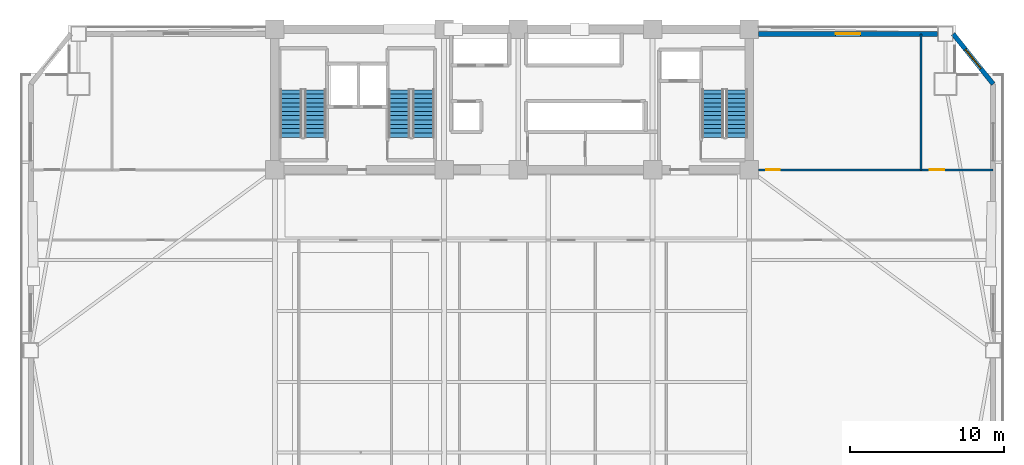
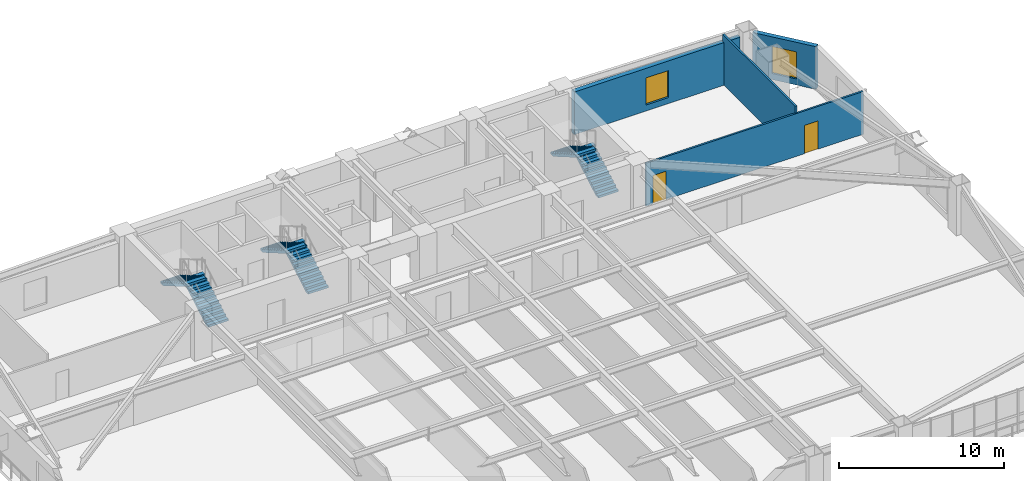
# One storey, part 10 of 16: 6 stair flights, 4 walls, 2 doors, 2 windows, 4 openings, 3 elements without a shape of their own.
"""IFC4 building model written with IfcOpenShell, lengths in metres."""

from ifc_helpers import new_model, si_unit, direction, frame, frame_2d, origin, place, context, subcontext, project, spatial, polyline, rectangle, outline, extrude, source, transform, mapped, material, layer, layer_set, type_object, element, fill, aggregate, save


model = new_model("IFC4")

# Units and contexts
model_context = context("Model", 3, precision=1e-05, world=origin(), true_north=direction((0.0, 1.0)))
body_context = subcontext(model_context, "Body", "Model", "MODEL_VIEW")
ifc_project = project(units=[si_unit("LENGTHUNIT", "METRE"), si_unit("AREAUNIT", "SQUARE_METRE"), si_unit("VOLUMEUNIT", "CUBIC_METRE"), si_unit("PLANEANGLEUNIT", "RADIAN"), si_unit("MASSUNIT", "GRAM", prefix="KILO")], contexts=[model_context])

# Site, building, storey
site_placement = place(None, origin())
site = spatial("IfcSite", under=ifc_project, at=site_placement, CompositionType="ELEMENT")
building_placement = place(site_placement, origin())
building = spatial("IfcBuilding", under=site, at=building_placement, Name="Giltprow Tower", CompositionType="ELEMENT")
storey_placement = place(building_placement, frame((0.0, 0.0, 79.60009765625)))
storey = spatial("IfcBuildingStorey", under=building, at=storey_placement, Name="L19", CompositionType="ELEMENT", Elevation=79.60009765625)

# Wall, opening, window
ifc_material_1 = material(Name="Precast concrete C40", Category="concrete")
ifc_layer_1 = layer(ifc_material_1, 0.300048828125, Name="Precast concrete C40")
ifc_layer_set_1 = layer_set([ifc_layer_1], Name="Precast concrete C40")
wall_type_1 = type_object("IfcWallType", Name="EW-NOTCH-CHAMFER-300", PredefinedType="SOLIDWALL", material=ifc_layer_set_1)
wall_1_placement = place(storey_placement, frame((66.361083984375, 43.00390625, 0.0), z_axis=(0.0, 0.0, 1.0), x_axis=(-0.624594762048, 0.780949027288, 0.0)))
wall_1 = element("IfcWall", 1, at=wall_1_placement, inside=storey, type_object=wall_type_1, Name="L19 Corner Notch Wall NE", PredefinedType="SOLIDWALL", context=body_context, shape_type="SweptSolid", body=[
    extrude(rectangle(XDim=4.156494140625, YDim=0.300048828125, at=frame_2d((2.078125, 0.0))), origin(), (0.0, 0.0, 1.0), 3.159912109375),
])
opening_1_placement = place(wall_1_placement, frame((1.278076171875, 0.0, 0.449951171875)))
opening_1 = element("IfcOpeningElement", 2, at=opening_1_placement, cuts=wall_1, Name="Opening WN17", PredefinedType="OPENING", context=body_context, shape_type="SweptSolid", body=[
    extrude(rectangle(XDim=1.60009765625, YDim=2.0, at=frame_2d((0.800048828125, 1.0))), frame((0.0, 0.159912109375, 0.0), z_axis=(0.0, -1.0, 0.0), x_axis=(1.0, 0.0, 0.0)), (0.0, 0.0, 1.0), 0.320068359375),
])
ifc_material_2 = material(Name="Insulated glass", Category="glass")
window_type = type_object("IfcWindowType", Name="WN-COR-1600x2000", PartitioningType="SINGLE_PANEL", PredefinedType="WINDOW", material=ifc_material_2)
shared_shape_1 = source(origin(), body_context, "Body", "SweptSolid", [
    extrude(rectangle(XDim=1.60009765625, YDim=2.0, at=frame_2d((0.800048828125, 1.0))), frame((0.0, 0.030029296875, 0.0), z_axis=(0.0, -1.0, 0.0), x_axis=(1.0, 0.0, 0.0)), (0.0, 0.0, 1.0), 0.06005859375),
])
window_1_placement = place(opening_1_placement, origin())
window_1 = element("IfcWindow", 3, at=window_1_placement, inside=storey, type_object=window_type, Name="L19 Corner Notch Window NE", OverallHeight=2.0, OverallWidth=1.60009765625, PartitioningType="SINGLE_PANEL", PredefinedType="WINDOW", context=body_context, shape_type="MappedRepresentation", body=[
    mapped(shared_shape_1, transform((0.0, 0.0, 0.0), x_axis=(1.0, 0.0, 0.0), y_axis=(0.0, 1.0, 0.0), z_axis=(0.0, 0.0, 1.0), scale=1.0)),
])
fill(opening_1, window_1)

ifc_layer_2 = layer(ifc_material_1, 0.320068359375, Name="Precast concrete C40")
ifc_layer_set_2 = layer_set([ifc_layer_2], Name="Precast concrete C40")
wall_type_2 = type_object("IfcWallType", Name="EW-TOW-STONE-320", PredefinedType="SOLIDWALL", material=ifc_layer_set_2)
wall_2_placement = place(storey_placement, frame((51.14990234375, 46.25, 0.0), z_axis=(0.0, 0.0, 1.0), x_axis=(1.0, 0.0, 0.0)))
wall_2 = element("IfcWall", 4, at=wall_2_placement, inside=storey, type_object=wall_type_2, Name="L19 North-East Wing Wall", PredefinedType="SOLIDWALL", context=body_context, shape_type="SweptSolid", body=[
    extrude(rectangle(XDim=11.614990234375, YDim=0.320068359375, at=frame_2d((5.8076171875, 0.0))), origin(), (0.0, 0.0, 1.0), 3.159912109375),
])
opening_2_placement = place(wall_2_placement, frame((5.008056640625, 0.0, 0.449951171875)))
opening_2 = element("IfcOpeningElement", 5, at=opening_2_placement, cuts=wall_2, Name="Opening WN17", PredefinedType="OPENING", context=body_context, shape_type="SweptSolid", body=[
    extrude(rectangle(XDim=1.60009765625, YDim=2.0, at=frame_2d((0.800048828125, 1.0))), frame((0.0, 0.169921875, 0.0), z_axis=(0.0, -1.0, 0.0), x_axis=(1.0, 0.0, 0.0)), (0.0, 0.0, 1.0), 0.340087890625),
])
window_2_placement = place(opening_2_placement, origin())
window_2 = element("IfcWindow", 6, at=window_2_placement, inside=storey, type_object=window_type, Name="L19 North-East Window", OverallHeight=2.0, OverallWidth=1.60009765625, PartitioningType="SINGLE_PANEL", PredefinedType="WINDOW", context=body_context, shape_type="MappedRepresentation", body=[
    mapped(shared_shape_1, transform((0.0, 0.0, 0.0), x_axis=(1.0, 0.0, 0.0), y_axis=(0.0, 1.0, 0.0), z_axis=(0.0, 0.0, 1.0), scale=1.0)),
])
fill(opening_2, window_2)

# Wall, openings, doors
ifc_material_3 = material(Name="Concrete C30", Category="concrete")
ifc_layer_3 = layer(ifc_material_3, 0.1298828125, Name="Concrete C30")
ifc_layer_set_3 = layer_set([ifc_layer_3], Name="Concrete C30")
wall_type_3 = type_object("IfcWallType", Name="IW-WET-130", PredefinedType="PARTITIONING", material=ifc_layer_set_3)
wall_3_placement = place(storey_placement, frame((51.14990234375, 37.449951171875, 0.0), z_axis=(0.0, 0.0, 1.0), x_axis=(1.0, 0.0, 0.0)))
wall_3 = element("IfcWall", 7, at=wall_3_placement, inside=storey, type_object=wall_type_3, Name="L19 NE Wing South Wall", PredefinedType="PARTITIONING", context=body_context, shape_type="SweptSolid", body=[
    extrude(rectangle(XDim=15.211181640625, YDim=0.1298828125, at=frame_2d((7.60546875, 0.0))), origin(), (0.0, 0.0, 1.0), 3.164794921875),
])
opening_3_placement = place(wall_3_placement, frame((0.5, 0.0, 0.0)))
opening_3 = element("IfcOpeningElement", 8, at=opening_3_placement, cuts=wall_3, Name="Opening ID15", PredefinedType="OPENING", context=body_context, shape_type="SweptSolid", body=[
    extrude(rectangle(XDim=0.89990234375, YDim=2.10009765625, at=frame_2d((0.449951171875, 1.050048828125))), frame((0.0, 0.074951171875, 0.0), z_axis=(0.0, -1.0, 0.0), x_axis=(1.0, 0.0, 0.0)), (0.0, 0.0, 1.0), 0.14990234375),
])
opening_4_placement = place(wall_3_placement, frame((11.087890625, 0.0, 0.0)))
opening_4 = element("IfcOpeningElement", 9, at=opening_4_placement, cuts=wall_3, Name="Opening ID11", PredefinedType="OPENING", context=body_context, shape_type="SweptSolid", body=[
    extrude(rectangle(XDim=0.949951171875, YDim=2.10009765625, at=frame_2d((0.47509765625, 1.050048828125))), frame((0.0, 0.074951171875, 0.0), z_axis=(0.0, -1.0, 0.0), x_axis=(1.0, 0.0, 0.0)), (0.0, 0.0, 1.0), 0.14990234375),
])
ifc_material_4 = material(Name="Engineered timber", Category="wood")
door_type_1 = type_object("IfcDoorType", Name="DR-WC-900", OperationType="SINGLE_SWING_LEFT", PredefinedType="DOOR", material=ifc_material_4)
shared_shape_2 = source(origin(), body_context, "Body", "SweptSolid", [
    extrude(rectangle(XDim=0.89990234375, YDim=2.10009765625, at=frame_2d((0.449951171875, 1.050048828125))), frame((0.0, 0.02490234375, 0.0), z_axis=(0.0, -1.0, 0.0), x_axis=(1.0, 0.0, 0.0)), (0.0, 0.0, 1.0), 0.050048828125),
])
door_1_placement = place(opening_3_placement, origin())
door_1 = element("IfcDoor", 10, at=door_1_placement, inside=storey, type_object=door_type_1, Name="L19 East Wing Washroom Door", OperationType="SINGLE_SWING_RIGHT", OverallHeight=2.10009765625, OverallWidth=0.89990234375, PredefinedType="DOOR", context=body_context, shape_type="MappedRepresentation", body=[
    mapped(shared_shape_2, transform((0.0, 0.0, 0.0), x_axis=(1.0, 0.0, 0.0), y_axis=(0.0, 1.0, 0.0), z_axis=(0.0, 0.0, 1.0), scale=1.0)),
])
fill(opening_3, door_1)
door_type_2 = type_object("IfcDoorType", Name="DR-ROOM-950", OperationType="SINGLE_SWING_RIGHT", PredefinedType="DOOR", material=ifc_material_4)
shared_shape_3 = source(origin(), body_context, "Body", "SweptSolid", [
    extrude(rectangle(XDim=0.949951171875, YDim=2.10009765625, at=frame_2d((0.47509765625, 1.050048828125))), frame((0.0, 0.02490234375, 0.0), z_axis=(0.0, -1.0, 0.0), x_axis=(1.0, 0.0, 0.0)), (0.0, 0.0, 1.0), 0.050048828125),
])
door_2_placement = place(opening_4_placement, origin())
door_2 = element("IfcDoor", 11, at=door_2_placement, inside=storey, type_object=door_type_2, Name="L19 East Tenant Archive Store Door", OperationType="SINGLE_SWING_RIGHT", OverallHeight=2.10009765625, OverallWidth=0.949951171875, PredefinedType="DOOR", context=body_context, shape_type="MappedRepresentation", body=[
    mapped(shared_shape_3, transform((0.0, 0.0, 0.0), x_axis=(1.0, 0.0, 0.0), y_axis=(0.0, 1.0, 0.0), z_axis=(0.0, 0.0, 1.0), scale=1.0)),
])
fill(opening_4, door_2)

# Wall
wall_4_placement = place(storey_placement, frame((61.68798828125, 37.449951171875, 0.0), z_axis=(0.0, 0.0, 1.0), x_axis=(0.0, 1.0, 0.0)))
element("IfcWall", 12, at=wall_4_placement, inside=storey, type_object=wall_type_3, Name="L19 NE Wing Divider", PredefinedType="PARTITIONING", context=body_context, shape_type="SweptSolid", body=[
    extrude(rectangle(XDim=8.800048828125, YDim=0.1298828125, at=frame_2d((4.39990234375, 0.0))), origin(), (0.0, 0.0, 1.0), 3.679931640625),
])

# Stair, stair flights
ifc_material_5 = material(Name="Concrete C40", Category="concrete")
stair_type_1 = type_object("IfcStairType", Name="STR-ST-1", PredefinedType="HALF_TURN_STAIR", material=ifc_material_5)
stair_1_placement = place(storey_placement, origin())
stair_1 = element("IfcStair", 13, at=stair_1_placement, inside=storey, type_object=stair_type_1, Name="L19 Core Exit Stair ST-1", PredefinedType="HALF_TURN_STAIR")
stair_flight_type_1 = type_object("IfcStairFlightType", Name="SFL-ST-1", PredefinedType="STRAIGHT", material=ifc_material_5)
stair_flight_1_placement = place(storey_placement, frame((22.4599609375, 39.550048828125, 0.0), z_axis=(0.0, 0.0, 1.0), x_axis=(0.0, 1.0, 0.0)))
stair_flight_1 = element("IfcStairFlight", 14, at=stair_flight_1_placement, type_object=stair_flight_type_1, Name="ST-1 flight 1", NumberOfRisers=12, NumberOfTreads=11, PredefinedType="STRAIGHT", RiserHeight=0.1625, TreadLength=0.28, context=body_context, shape_type="SweptSolid", body=[
    extrude(outline(polyline([(0.0, 0.0), (0.0, 0.16259765625), (0.280029296875, 0.16259765625), (0.280029296875, 0.324951171875), (0.56005859375, 0.324951171875), (0.56005859375, 0.487548828125), (0.840087890625, 0.487548828125), (0.840087890625, 0.64990234375), (1.1201171875, 0.64990234375), (1.1201171875, 0.8125), (1.39990234375, 0.8125), (1.39990234375, 0.97509765625), (1.679931640625, 0.97509765625), (1.679931640625, 1.137451171875), (1.9599609375, 1.137451171875), (1.9599609375, 1.300048828125), (2.239990234375, 1.300048828125), (2.239990234375, 1.46240234375), (2.52001953125, 1.46240234375), (2.52001953125, 1.625), (2.800048828125, 1.625), (2.800048828125, 1.78759765625), (3.080078125, 1.78759765625), (3.080078125, 1.949951171875), (3.080078125, 1.6142578125), (0.298583984375, 0.0), (0.0, 0.0)])), frame((0.0, 0.699951171875, 0.0), z_axis=(0.0, -1.0, 0.0), x_axis=(1.0, 0.0, 0.0)), (0.0, 0.0, 1.0), 1.39990234375),
])
stair_flight_2_placement = place(storey_placement, frame((20.89990234375, 42.6298828125, 1.949951171875), z_axis=(0.0, 0.0, 1.0), x_axis=(0.0, -1.0, 0.0)))
stair_flight_2 = element("IfcStairFlight", 15, at=stair_flight_2_placement, type_object=stair_flight_type_1, Name="ST-1 flight 2", NumberOfRisers=12, NumberOfTreads=11, PredefinedType="STRAIGHT", RiserHeight=0.1625, TreadLength=0.28, context=body_context, shape_type="SweptSolid", body=[
    extrude(outline(polyline([(0.0, 0.0), (0.0, 0.16259765625), (0.280029296875, 0.16259765625), (0.280029296875, 0.324951171875), (0.56005859375, 0.324951171875), (0.56005859375, 0.487548828125), (0.840087890625, 0.487548828125), (0.840087890625, 0.64990234375), (1.1201171875, 0.64990234375), (1.1201171875, 0.8125), (1.39990234375, 0.8125), (1.39990234375, 0.97509765625), (1.679931640625, 0.97509765625), (1.679931640625, 1.137451171875), (1.9599609375, 1.137451171875), (1.9599609375, 1.300048828125), (2.239990234375, 1.300048828125), (2.239990234375, 1.46240234375), (2.52001953125, 1.46240234375), (2.52001953125, 1.625), (2.800048828125, 1.625), (2.800048828125, 1.78759765625), (3.080078125, 1.78759765625), (3.080078125, 1.949951171875), (3.080078125, 1.6142578125), (0.298583984375, 0.0), (0.0, 0.0)])), frame((0.0, 0.699951171875, 0.0), z_axis=(0.0, -1.0, 0.0), x_axis=(1.0, 0.0, 0.0)), (0.0, 0.0, 1.0), 1.39990234375),
])
aggregate(stair_1, [stair_flight_1, stair_flight_2])

stair_type_2 = type_object("IfcStairType", Name="STR-ST-2", PredefinedType="HALF_TURN_STAIR", material=ifc_material_5)
stair_2_placement = place(storey_placement, origin())
stair_2 = element("IfcStair", 16, at=stair_2_placement, inside=storey, type_object=stair_type_2, Name="L19 Core Exit Stair ST-2", PredefinedType="HALF_TURN_STAIR")
stair_flight_type_2 = type_object("IfcStairFlightType", Name="SFL-ST-2", PredefinedType="STRAIGHT", material=ifc_material_5)
stair_flight_3_placement = place(storey_placement, frame((29.4599609375, 39.550048828125, 0.0), z_axis=(0.0, 0.0, 1.0), x_axis=(0.0, 1.0, 0.0)))
stair_flight_3 = element("IfcStairFlight", 17, at=stair_flight_3_placement, type_object=stair_flight_type_2, Name="ST-2 flight 1", NumberOfRisers=12, NumberOfTreads=11, PredefinedType="STRAIGHT", RiserHeight=0.1625, TreadLength=0.28, context=body_context, shape_type="SweptSolid", body=[
    extrude(outline(polyline([(0.0, 0.0), (0.0, 0.16259765625), (0.280029296875, 0.16259765625), (0.280029296875, 0.324951171875), (0.56005859375, 0.324951171875), (0.56005859375, 0.487548828125), (0.840087890625, 0.487548828125), (0.840087890625, 0.64990234375), (1.1201171875, 0.64990234375), (1.1201171875, 0.8125), (1.39990234375, 0.8125), (1.39990234375, 0.97509765625), (1.679931640625, 0.97509765625), (1.679931640625, 1.137451171875), (1.9599609375, 1.137451171875), (1.9599609375, 1.300048828125), (2.239990234375, 1.300048828125), (2.239990234375, 1.46240234375), (2.52001953125, 1.46240234375), (2.52001953125, 1.625), (2.800048828125, 1.625), (2.800048828125, 1.78759765625), (3.080078125, 1.78759765625), (3.080078125, 1.949951171875), (3.080078125, 1.6142578125), (0.298583984375, 0.0), (0.0, 0.0)])), frame((0.0, 0.699951171875, 0.0), z_axis=(0.0, -1.0, 0.0), x_axis=(1.0, 0.0, 0.0)), (0.0, 0.0, 1.0), 1.39990234375),
])
stair_flight_4_placement = place(storey_placement, frame((27.89990234375, 42.6298828125, 1.949951171875), z_axis=(0.0, 0.0, 1.0), x_axis=(0.0, -1.0, 0.0)))
stair_flight_4 = element("IfcStairFlight", 18, at=stair_flight_4_placement, type_object=stair_flight_type_2, Name="ST-2 flight 2", NumberOfRisers=12, NumberOfTreads=11, PredefinedType="STRAIGHT", RiserHeight=0.1625, TreadLength=0.28, context=body_context, shape_type="SweptSolid", body=[
    extrude(outline(polyline([(0.0, 0.0), (0.0, 0.16259765625), (0.280029296875, 0.16259765625), (0.280029296875, 0.324951171875), (0.56005859375, 0.324951171875), (0.56005859375, 0.487548828125), (0.840087890625, 0.487548828125), (0.840087890625, 0.64990234375), (1.1201171875, 0.64990234375), (1.1201171875, 0.8125), (1.39990234375, 0.8125), (1.39990234375, 0.97509765625), (1.679931640625, 0.97509765625), (1.679931640625, 1.137451171875), (1.9599609375, 1.137451171875), (1.9599609375, 1.300048828125), (2.239990234375, 1.300048828125), (2.239990234375, 1.46240234375), (2.52001953125, 1.46240234375), (2.52001953125, 1.625), (2.800048828125, 1.625), (2.800048828125, 1.78759765625), (3.080078125, 1.78759765625), (3.080078125, 1.949951171875), (3.080078125, 1.6142578125), (0.298583984375, 0.0), (0.0, 0.0)])), frame((0.0, 0.699951171875, 0.0), z_axis=(0.0, -1.0, 0.0), x_axis=(1.0, 0.0, 0.0)), (0.0, 0.0, 1.0), 1.39990234375),
])
aggregate(stair_2, [stair_flight_3, stair_flight_4])

stair_type_3 = type_object("IfcStairType", Name="STR-ST-3", PredefinedType="HALF_TURN_STAIR", material=ifc_material_5)
stair_3_placement = place(storey_placement, origin())
stair_3 = element("IfcStair", 19, at=stair_3_placement, inside=storey, type_object=stair_type_3, Name="L19 Core Exit Stair ST-3", PredefinedType="HALF_TURN_STAIR")
stair_flight_type_3 = type_object("IfcStairFlightType", Name="SFL-ST-3", PredefinedType="STRAIGHT", material=ifc_material_5)
stair_flight_5_placement = place(storey_placement, frame((49.760009765625, 39.550048828125, 0.0), z_axis=(0.0, 0.0, 1.0), x_axis=(0.0, 1.0, 0.0)))
stair_flight_5 = element("IfcStairFlight", 20, at=stair_flight_5_placement, type_object=stair_flight_type_3, Name="ST-3 flight 1", NumberOfRisers=12, NumberOfTreads=11, PredefinedType="STRAIGHT", RiserHeight=0.1625, TreadLength=0.28, context=body_context, shape_type="SweptSolid", body=[
    extrude(outline(polyline([(0.0, 0.0), (0.0, 0.16259765625), (0.280029296875, 0.16259765625), (0.280029296875, 0.324951171875), (0.56005859375, 0.324951171875), (0.56005859375, 0.487548828125), (0.840087890625, 0.487548828125), (0.840087890625, 0.64990234375), (1.1201171875, 0.64990234375), (1.1201171875, 0.8125), (1.39990234375, 0.8125), (1.39990234375, 0.97509765625), (1.679931640625, 0.97509765625), (1.679931640625, 1.137451171875), (1.9599609375, 1.137451171875), (1.9599609375, 1.300048828125), (2.239990234375, 1.300048828125), (2.239990234375, 1.46240234375), (2.52001953125, 1.46240234375), (2.52001953125, 1.625), (2.800048828125, 1.625), (2.800048828125, 1.78759765625), (3.080078125, 1.78759765625), (3.080078125, 1.949951171875), (3.080078125, 1.6142578125), (0.298583984375, 0.0), (0.0, 0.0)])), frame((0.0, 0.699951171875, 0.0), z_axis=(0.0, -1.0, 0.0), x_axis=(1.0, 0.0, 0.0)), (0.0, 0.0, 1.0), 1.39990234375),
])
stair_flight_6_placement = place(storey_placement, frame((48.199951171875, 42.6298828125, 1.949951171875), z_axis=(0.0, 0.0, 1.0), x_axis=(0.0, -1.0, 0.0)))
stair_flight_6 = element("IfcStairFlight", 21, at=stair_flight_6_placement, type_object=stair_flight_type_3, Name="ST-3 flight 2", NumberOfRisers=12, NumberOfTreads=11, PredefinedType="STRAIGHT", RiserHeight=0.1625, TreadLength=0.28, context=body_context, shape_type="SweptSolid", body=[
    extrude(outline(polyline([(0.0, 0.0), (0.0, 0.16259765625), (0.280029296875, 0.16259765625), (0.280029296875, 0.324951171875), (0.56005859375, 0.324951171875), (0.56005859375, 0.487548828125), (0.840087890625, 0.487548828125), (0.840087890625, 0.64990234375), (1.1201171875, 0.64990234375), (1.1201171875, 0.8125), (1.39990234375, 0.8125), (1.39990234375, 0.97509765625), (1.679931640625, 0.97509765625), (1.679931640625, 1.137451171875), (1.9599609375, 1.137451171875), (1.9599609375, 1.300048828125), (2.239990234375, 1.300048828125), (2.239990234375, 1.46240234375), (2.52001953125, 1.46240234375), (2.52001953125, 1.625), (2.800048828125, 1.625), (2.800048828125, 1.78759765625), (3.080078125, 1.78759765625), (3.080078125, 1.949951171875), (3.080078125, 1.6142578125), (0.298583984375, 0.0), (0.0, 0.0)])), frame((0.0, 0.699951171875, 0.0), z_axis=(0.0, -1.0, 0.0), x_axis=(1.0, 0.0, 0.0)), (0.0, 0.0, 1.0), 1.39990234375),
])
aggregate(stair_3, [stair_flight_5, stair_flight_6])

save(model, "model.ifc")
